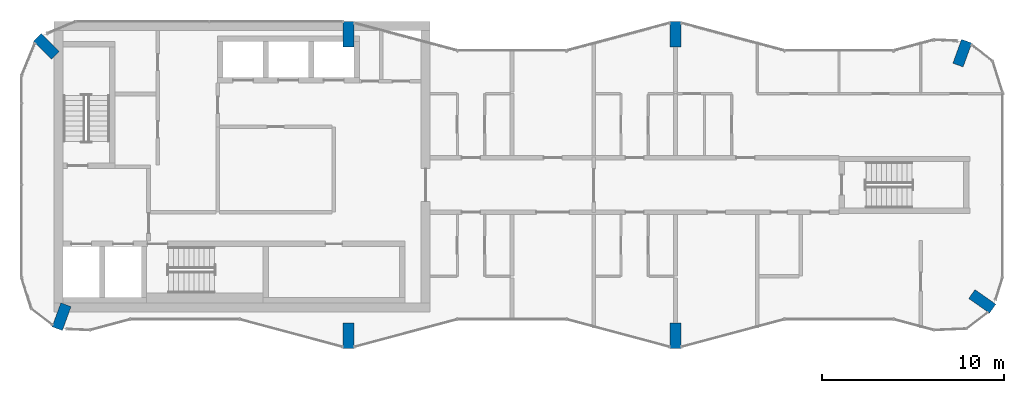
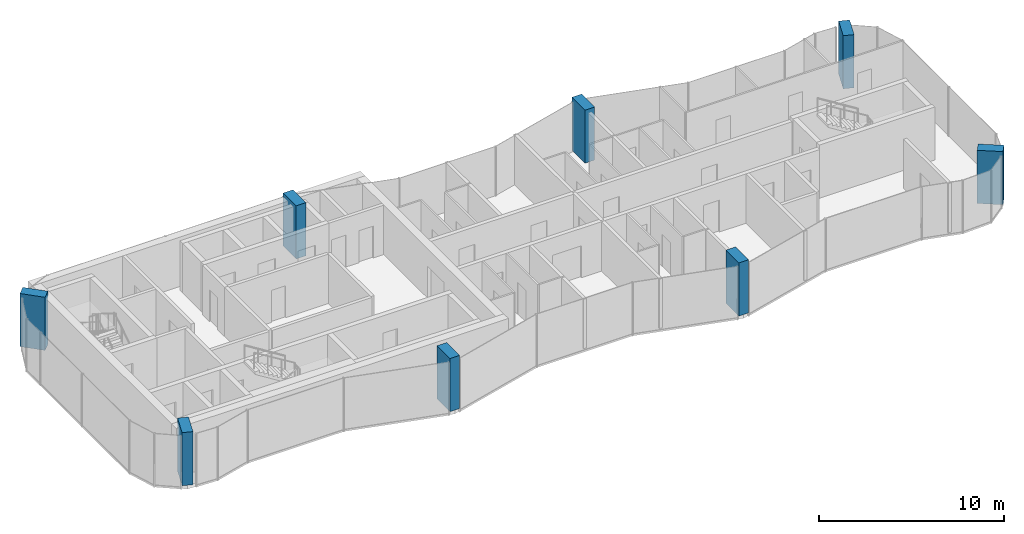
# One storey, part 1 of 10: 8 columns.
"""IFC4 building model written with IfcOpenShell, lengths in metres."""

from ifc_helpers import new_model, si_unit, direction, frame, origin, origin_2d, place, context, subcontext, project, spatial, rectangle, extrude, material, material_profile, profile_set, type_object, element, save


model = new_model("IFC4")

# Units and contexts
model_context = context("Model", 3, precision=1e-05, world=origin(), true_north=direction((0.0, 1.0)))
body_context = subcontext(model_context, "Body", "Model", "MODEL_VIEW")
ifc_project = project(units=[si_unit("LENGTHUNIT", "METRE"), si_unit("AREAUNIT", "SQUARE_METRE"), si_unit("VOLUMEUNIT", "CUBIC_METRE"), si_unit("PLANEANGLEUNIT", "RADIAN"), si_unit("MASSUNIT", "GRAM", prefix="KILO")], contexts=[model_context])

# Site, building, storey
site_placement = place(None, origin())
site = spatial("IfcSite", under=ifc_project, at=site_placement, CompositionType="ELEMENT")
building_placement = place(site_placement, origin())
building = spatial("IfcBuilding", under=site, at=building_placement, Name="Plateau Cross Towers", CompositionType="ELEMENT")
storey_placement = place(building_placement, frame((0.0, 0.0, 252.89990234375)))
storey = spatial("IfcBuildingStorey", under=building, at=storey_placement, Name="L66", CompositionType="ELEMENT", Elevation=252.89990234375)

# Columns
ifc_material = material(Name="Concrete C60/75", Category="concrete")
ifc_material_profile = material_profile(ifc_material, rectangle(XDim=0.60009765625, YDim=1.39990234375, at=origin_2d()), Name="RC 600x1400")
ifc_profile_set = profile_set([ifc_material_profile], Name="Concrete C60/75")
column_type = type_object("IfcColumnType", Name="Fin pier column RC 600x1400", PredefinedType="COLUMN", material=ifc_profile_set)
for number, where, z_axis, x_axis, name in (
    (1, (18.0, 0.699951171875, 0.0), (0.0, 0.0, 1.0), (1.0, 0.0, 0.0), "PR1 L66"),
    (2, (36.0, 0.699951171875, 0.0), (0.0, 0.0, 1.0), (1.0, 0.0, 0.0), "PR2 L66"),
    (3, (52.884033203125, 2.590087890625, 0.0), (0.0, 0.0, 1.0), (0.573542637991, 0.819175709117, 0.0), "PR3 L66"),
    (4, (51.786865234375, 16.251953125, 0.0), (0.0, 0.0, 1.0), (-0.939664280925, 0.342097996418, 0.0), "PR4 L66"),
    (5, (36.0, 17.300048828125, 0.0), (0.0, 0.0, 1.0), (1.0, 0.0, 0.0), "PR5 L66"),
    (6, (18.0, 17.300048828125, 0.0), (0.0, 0.0, 1.0), (1.0, 0.0, 0.0), "PR13 L66"),
    (7, (1.37353515625, 16.62646484375, 0.0), (0.0, 0.0, 1.0), (0.707106781187, 0.707106781187, 0.0), "PR14 L66"),
    (8, (2.213134765625, 1.748046875, 0.0), (0.0, 0.0, 1.0), (-0.939664280925, 0.342097996418, 0.0), "PR12 L66"),
):
    element("IfcColumn", number, at=place(storey_placement, frame(where, z_axis=z_axis, x_axis=x_axis)), inside=storey, type_object=column_type, Name=name, PredefinedType="COLUMN", context=body_context, shape_type="SweptSolid", body=[
        extrude(rectangle(XDim=0.60009765625, YDim=1.39990234375, at=origin_2d()), origin(), (0.0, 0.0, 1.0), 3.5),
    ])

save(model, "model.ifc")
